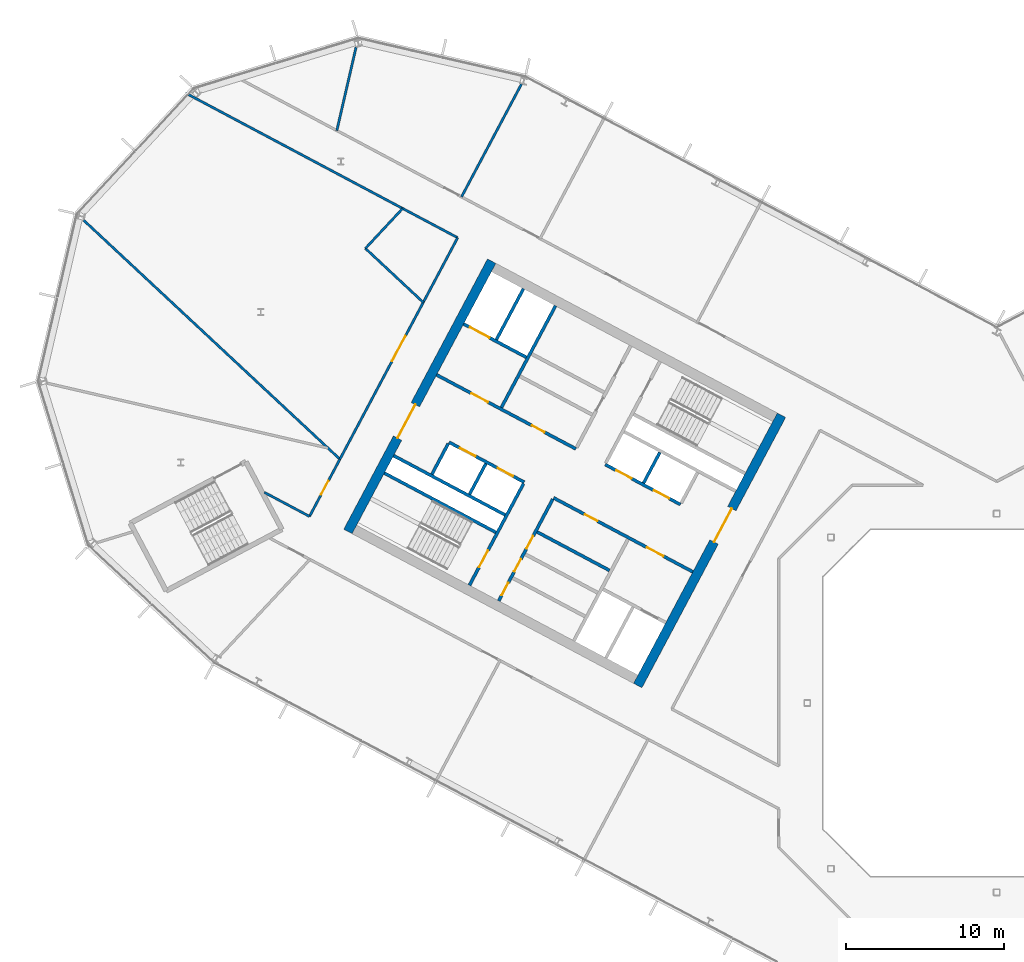
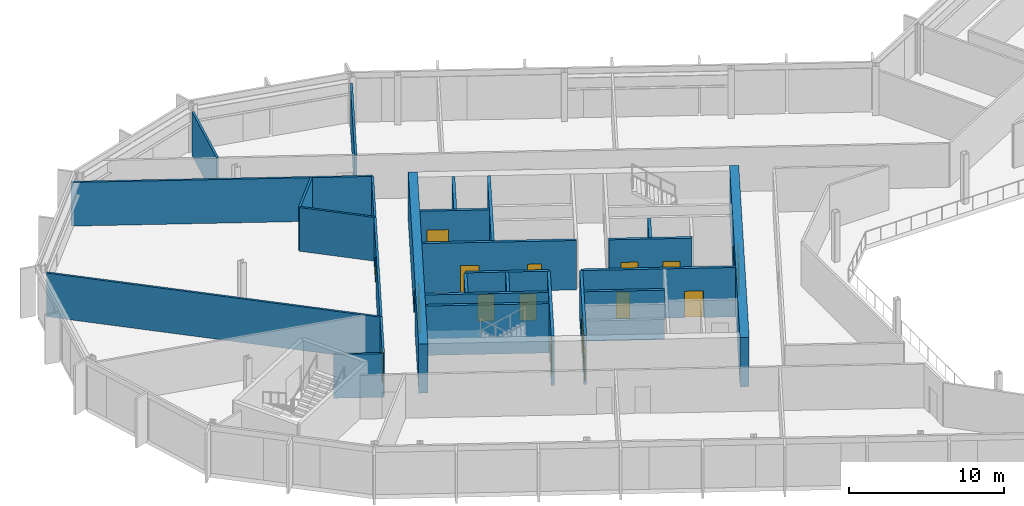
# One storey, part 13 of 26: 26 walls, 17 doors, 17 openings.
"""IFC4 building model written with IfcOpenShell, lengths in metres."""

from ifc_helpers import new_model, si_unit, direction, frame, frame_2d, origin, place, context, subcontext, project, spatial, rectangle, extrude, material, layer, layer_set, type_object, element, fill, save


model = new_model("IFC4")

# Units and contexts
model_context = context("Model", 3, precision=1e-05, world=origin(), true_north=direction((0.0, 1.0)))
body_context = subcontext(model_context, "Body", "Model", "MODEL_VIEW")
ifc_project = project(units=[si_unit("LENGTHUNIT", "METRE"), si_unit("AREAUNIT", "SQUARE_METRE"), si_unit("VOLUMEUNIT", "CUBIC_METRE"), si_unit("PLANEANGLEUNIT", "RADIAN"), si_unit("MASSUNIT", "GRAM", prefix="KILO")], contexts=[model_context])

# Site, building, storey
site_placement = place(None, origin())
site = spatial("IfcSite", under=ifc_project, at=site_placement, CompositionType="ELEMENT")
building_placement = place(site_placement, origin())
building = spatial("IfcBuilding", under=site, at=building_placement, Name="Cormorant Relay Tower", CompositionType="ELEMENT")
storey_placement = place(building_placement, frame((0.0, 0.0, 248.10009765625)))
storey = spatial("IfcBuildingStorey", under=building, at=storey_placement, Name="L55", CompositionType="ELEMENT", Elevation=248.10009765625)

# Walls
ifc_material_1 = material(Name="Concrete 40 MPa", Category="concrete")
ifc_layer_1 = layer(ifc_material_1, 0.199951171875)
ifc_layer_set_1 = layer_set([ifc_layer_1], Name="Core internal wall 200")
wall_type_1 = type_object("IfcWallType", Name="Core internal wall 200", PredefinedType="SOLIDWALL", material=ifc_layer_set_1)
wall_1_placement = place(storey_placement, frame((-21.34375, 15.87890625, 0.0), z_axis=(0.0, 0.0, 1.0), x_axis=(-0.4694473164, -0.882960484464, 0.0)))
element("IfcWall", 1, at=wall_1_placement, inside=storey, type_object=wall_type_1, Name="L55 core A shaft and room wall", PredefinedType="SOLIDWALL", context=body_context, shape_type="SweptSolid", body=[
    extrude(rectangle(XDim=2.199951171875, YDim=0.199951171875, at=frame_2d((1.10009765625, 0.0))), origin(), (0.0, 0.0, 1.0), 3.89990234375),
])
wall_2_placement = place(storey_placement, frame((-32.3662109375, 15.1708984375, 0.0), z_axis=(0.0, 0.0, 1.0), x_axis=(-0.469487830541, -0.882938942948, 0.0)))
element("IfcWall", 2, at=wall_2_placement, inside=storey, type_object=wall_type_1, Name="L55 core A shaft and room wall", PredefinedType="SOLIDWALL", context=body_context, shape_type="SweptSolid", body=[
    extrude(rectangle(XDim=2.2001953125, YDim=0.199951171875, at=frame_2d((1.10009765625, 0.0))), origin(), (0.0, 0.0, 1.0), 3.89990234375),
])

# Wall, openings, doors
ifc_material_2 = material(Name="Concrete 50 MPa", Category="concrete")
ifc_layer_2 = layer(ifc_material_2, 0.199951171875)
ifc_layer_set_2 = layer_set([ifc_layer_2], Name="Core shaft wall 200")
wall_type_2 = type_object("IfcWallType", Name="Core shaft wall 200", PredefinedType="SHEAR", material=ifc_layer_set_2)
wall_3_placement = place(storey_placement, frame((-28.128173828125, 12.91748046875, 0.0), z_axis=(0.0, 0.0, 1.0), x_axis=(-0.469454336211, -0.882956752176, 0.0)))
wall_3 = element("IfcWall", 3, at=wall_3_placement, inside=storey, type_object=wall_type_2, Name="L55 core A shaft wall", PredefinedType="SHEAR", context=body_context, shape_type="SweptSolid", body=[
    extrude(rectangle(XDim=7.300048828125, YDim=0.199951171875, at=frame_2d((3.64990234375, 0.0))), origin(), (0.0, 0.0, 1.0), 3.89990234375),
])
opening_1_placement = place(wall_3_placement, frame((2.64990234375, 0.0, 0.0)))
opening_1 = element("IfcOpeningElement", 4, at=opening_1_placement, cuts=wall_3, Name="Opening CDD-268", PredefinedType="OPENING", context=body_context, shape_type="SweptSolid", body=[
    extrude(rectangle(XDim=0.89990234375, YDim=2.10009765625, at=frame_2d((0.449951171875, 1.050048828125))), frame((0.0, 0.10986328125, 0.0), z_axis=(0.0, -1.0, 0.0), x_axis=(1.0, 0.0, 0.0)), (0.0, 0.0, 1.0), 0.219970703125),
])
opening_2_placement = place(wall_3_placement, frame((4.300048828125, 0.0, 0.0)))
opening_2 = element("IfcOpeningElement", 5, at=opening_2_placement, cuts=wall_3, Name="Opening CDD-269", PredefinedType="OPENING", context=body_context, shape_type="SweptSolid", body=[
    extrude(rectangle(XDim=0.89990234375, YDim=2.10009765625, at=frame_2d((0.449951171875, 1.050048828125))), frame((0.0, 0.10986328125, 0.0), z_axis=(0.0, -1.0, 0.0), x_axis=(1.0, 0.0, 0.0)), (0.0, 0.0, 1.0), 0.219970703125),
])
opening_3_placement = place(wall_3_placement, frame((6.0, 0.0, 0.0)))
opening_3 = element("IfcOpeningElement", 6, at=opening_3_placement, cuts=wall_3, Name="Opening CDD-270", PredefinedType="OPENING", context=body_context, shape_type="SweptSolid", body=[
    extrude(rectangle(XDim=0.89990234375, YDim=2.10009765625, at=frame_2d((0.449951171875, 1.050048828125))), frame((0.0, 0.10986328125, 0.0), z_axis=(0.0, -1.0, 0.0), x_axis=(1.0, 0.0, 0.0)), (0.0, 0.0, 1.0), 0.219970703125),
])
ifc_material_3 = material(Name="Steel fire door", Category="steel")
door_type_1 = type_object("IfcDoorType", Name="Core room door 900x2100", OperationType="SINGLE_SWING_LEFT", PredefinedType="DOOR", material=ifc_material_3)
door_1_placement = place(opening_1_placement, origin())
door_1 = element("IfcDoor", 7, at=door_1_placement, inside=storey, type_object=door_type_1, Name="Core room door 900x2100", OperationType="SINGLE_SWING_LEFT", OverallHeight=2.10009765625, OverallWidth=0.89990234375, PredefinedType="DOOR", context=body_context, shape_type="SweptSolid", body=[
    extrude(rectangle(XDim=0.89990234375, YDim=2.10009765625, at=frame_2d((0.449951171875, 1.050048828125))), frame((0.0, 0.02490234375, 0.0), z_axis=(0.0, -1.0, 0.0), x_axis=(1.0, 0.0, 0.0)), (0.0, 0.0, 1.0), 0.050048828125),
])
fill(opening_1, door_1)
door_2_placement = place(opening_2_placement, origin())
door_2 = element("IfcDoor", 8, at=door_2_placement, inside=storey, type_object=door_type_1, Name="Core room door 900x2100", OperationType="SINGLE_SWING_LEFT", OverallHeight=2.10009765625, OverallWidth=0.89990234375, PredefinedType="DOOR", context=body_context, shape_type="SweptSolid", body=[
    extrude(rectangle(XDim=0.89990234375, YDim=2.10009765625, at=frame_2d((0.449951171875, 1.050048828125))), frame((0.0, 0.02490234375, 0.0), z_axis=(0.0, -1.0, 0.0), x_axis=(1.0, 0.0, 0.0)), (0.0, 0.0, 1.0), 0.050048828125),
])
fill(opening_2, door_2)
door_3_placement = place(opening_3_placement, origin())
door_3 = element("IfcDoor", 9, at=door_3_placement, inside=storey, type_object=door_type_1, Name="Core room door 900x2100", OperationType="SINGLE_SWING_LEFT", OverallHeight=2.10009765625, OverallWidth=0.89990234375, PredefinedType="DOOR", context=body_context, shape_type="SweptSolid", body=[
    extrude(rectangle(XDim=0.89990234375, YDim=2.10009765625, at=frame_2d((0.449951171875, 1.050048828125))), frame((0.0, 0.02490234375, 0.0), z_axis=(0.0, -1.0, 0.0), x_axis=(1.0, 0.0, 0.0)), (0.0, 0.0, 1.0), 0.050048828125),
])
fill(opening_3, door_3)

# Wall, opening, door
wall_4_placement = place(storey_placement, frame((-29.982421875, 13.9033203125, 0.0), z_axis=(0.0, 0.0, 1.0), x_axis=(-0.469454336211, -0.882956752176, 0.0)))
wall_4 = element("IfcWall", 10, at=wall_4_placement, inside=storey, type_object=wall_type_2, Name="L55 core A shaft wall", PredefinedType="SHEAR", context=body_context, shape_type="SweptSolid", body=[
    extrude(rectangle(XDim=7.300048828125, YDim=0.199951171875, at=frame_2d((3.64990234375, 0.0))), origin(), (0.0, 0.0, 1.0), 3.89990234375),
])
opening_4_placement = place(wall_4_placement, frame((4.800048828125, 0.0, 0.0)))
opening_4 = element("IfcOpeningElement", 11, at=opening_4_placement, cuts=wall_4, Name="Opening CDB-039", PredefinedType="OPENING", context=body_context, shape_type="SweptSolid", body=[
    extrude(rectangle(XDim=1.199951171875, YDim=2.10009765625, at=frame_2d((0.60009765625, 1.050048828125))), frame((0.0, 0.10986328125, 0.0), z_axis=(0.0, -1.0, 0.0), x_axis=(1.0, 0.0, 0.0)), (0.0, 0.0, 1.0), 0.219970703125),
])
ifc_material_4 = material(Name="Steel fire door", Category="steel")
door_type_2 = type_object("IfcDoorType", Name="Core stair door 1200x2100", OperationType="SINGLE_SWING_LEFT", PredefinedType="DOOR", material=ifc_material_4)
door_4_placement = place(opening_4_placement, frame((1.199951171875, 0.0, 0.0), z_axis=(0.0, 0.0, 1.0), x_axis=(-1.0, 0.0, 0.0)))
door_4 = element("IfcDoor", 12, at=door_4_placement, inside=storey, type_object=door_type_2, Name="Core stair door 1200x2100", OperationType="SINGLE_SWING_RIGHT", OverallHeight=2.10009765625, OverallWidth=1.199951171875, PredefinedType="DOOR", context=body_context, shape_type="SweptSolid", body=[
    extrude(rectangle(XDim=1.199951171875, YDim=2.10009765625, at=frame_2d((0.60009765625, 1.050048828125))), frame((0.0, 0.02490234375, 0.0), z_axis=(0.0, -1.0, 0.0), x_axis=(1.0, 0.0, 0.0)), (0.0, 0.0, 1.0), 0.050048828125),
])
fill(opening_4, door_4)

# Walls
wall_5_placement = place(storey_placement, frame((-27.955322265625, 25.170654296875, 0.0), z_axis=(0.0, 0.0, 1.0), x_axis=(-0.469480409012, -0.88294288918, 0.0)))
element("IfcWall", 13, at=wall_5_placement, inside=storey, type_object=wall_type_2, Name="L55 core A shaft wall", PredefinedType="SHEAR", context=body_context, shape_type="SweptSolid", body=[
    extrude(rectangle(XDim=7.300048828125, YDim=0.199951171875, at=frame_2d((3.64990234375, 0.0))), origin(), (0.0, 0.0, 1.0), 3.89990234375),
])
wall_6_placement = place(storey_placement, frame((-34.750244140625, 16.4384765625, 0.0), z_axis=(0.0, 0.0, 1.0), x_axis=(-0.469401318492, -0.882984938828, 0.0)))
element("IfcWall", 14, at=wall_6_placement, inside=storey, type_object=wall_type_2, Name="L55 core A shaft wall", PredefinedType="SHEAR", context=body_context, shape_type="SweptSolid", body=[
    extrude(rectangle(XDim=2.199951171875, YDim=0.199951171875, at=frame_2d((1.10009765625, 0.0))), origin(), (0.0, 0.0, 1.0), 3.89990234375),
])
wall_7_placement = place(storey_placement, frame((-29.986083984375, 26.250244140625, 0.0), z_axis=(0.0, 0.0, 1.0), x_axis=(-0.469494272526, -0.882935517501, 0.0)))
element("IfcWall", 15, at=wall_7_placement, inside=storey, type_object=wall_type_2, Name="L55 core A shaft wall", PredefinedType="SHEAR", context=body_context, shape_type="SweptSolid", body=[
    extrude(rectangle(XDim=3.64990234375, YDim=0.199951171875, at=frame_2d((1.824951171875, 0.0))), origin(), (0.0, 0.0, 1.0), 3.89990234375),
])

# Wall, opening, door
wall_8_placement = place(storey_placement, frame((-29.80419921875, 21.906494140625, 0.0), z_axis=(0.0, 0.0, 1.0), x_axis=(-0.882960433586, 0.469447412093, 0.0)))
wall_8 = element("IfcWall", 16, at=wall_8_placement, inside=storey, type_object=wall_type_2, Name="L55 core A shaft wall", PredefinedType="SHEAR", context=body_context, shape_type="SweptSolid", body=[
    extrude(rectangle(XDim=4.5, YDim=0.199951171875, at=frame_2d((2.25, 0.0))), origin(), (0.0, 0.0, 1.0), 3.89990234375),
])
opening_5_placement = place(wall_8_placement, frame((2.64990234375, 0.0, 0.0)))
opening_5 = element("IfcOpeningElement", 17, at=opening_5_placement, cuts=wall_8, Name="Opening LD3-015", PredefinedType="OPENING", context=body_context, shape_type="SweptSolid", body=[
    extrude(rectangle(XDim=1.39990234375, YDim=2.39990234375, at=frame_2d((0.699951171875, 1.199951171875))), frame((0.0, 0.10986328125, 0.0), z_axis=(0.0, -1.0, 0.0), x_axis=(1.0, 0.0, 0.0)), (0.0, 0.0, 1.0), 0.219970703125),
])
ifc_material_5 = material(Name="Stainless steel 316", Category="steel")
door_type_3 = type_object("IfcDoorType", Name="Lift landing door 1400x2400", OperationType="DOUBLE_DOOR_SLIDING", PredefinedType="DOOR", material=ifc_material_5)
door_5_placement = place(opening_5_placement, origin())
door_5 = element("IfcDoor", 18, at=door_5_placement, inside=storey, type_object=door_type_3, Name="SV1 landing door", OperationType="DOUBLE_DOOR_SLIDING", OverallHeight=2.39990234375, OverallWidth=1.39990234375, PredefinedType="DOOR", context=body_context, shape_type="SweptSolid", body=[
    extrude(rectangle(XDim=1.39990234375, YDim=2.39990234375, at=frame_2d((0.699951171875, 1.199951171875))), frame((0.0, 0.02490234375, 0.0), z_axis=(0.0, -1.0, 0.0), x_axis=(1.0, 0.0, 0.0)), (0.0, 0.0, 1.0), 0.050048828125),
])
fill(opening_5, door_5)

# Wall, openings, doors
wall_9_placement = place(storey_placement, frame((-20.03955078125, 12.58056640625, 0.0), z_axis=(0.0, 0.0, 1.0), x_axis=(-0.882942972946, 0.469480251476, 0.0)))
wall_9 = element("IfcWall", 19, at=wall_9_placement, inside=storey, type_object=wall_type_2, Name="L55 core A shaft wall", PredefinedType="SHEAR", context=body_context, shape_type="SweptSolid", body=[
    extrude(rectangle(XDim=5.39990234375, YDim=0.199951171875, at=frame_2d((2.699951171875, 0.0))), origin(), (0.0, 0.0, 1.0), 3.89990234375),
])
opening_6_placement = place(wall_9_placement, frame((0.800048828125, 0.0, 0.0)))
opening_6 = element("IfcOpeningElement", 20, at=opening_6_placement, cuts=wall_9, Name="Opening LD1-061", PredefinedType="OPENING", context=body_context, shape_type="SweptSolid", body=[
    extrude(rectangle(XDim=1.10009765625, YDim=2.10009765625, at=frame_2d((0.550048828125, 1.050048828125))), frame((0.0, 0.10986328125, 0.0), z_axis=(0.0, -1.0, 0.0), x_axis=(1.0, 0.0, 0.0)), (0.0, 0.0, 1.0), 0.219970703125),
])
opening_7_placement = place(wall_9_placement, frame((3.5, 0.0, 0.0)))
opening_7 = element("IfcOpeningElement", 21, at=opening_7_placement, cuts=wall_9, Name="Opening LD1-062", PredefinedType="OPENING", context=body_context, shape_type="SweptSolid", body=[
    extrude(rectangle(XDim=1.10009765625, YDim=2.10009765625, at=frame_2d((0.550048828125, 1.050048828125))), frame((0.0, 0.10986328125, 0.0), z_axis=(0.0, -1.0, 0.0), x_axis=(1.0, 0.0, 0.0)), (0.0, 0.0, 1.0), 0.219970703125),
])
ifc_material_6 = material(Name="Stainless steel 316", Category="steel")
door_type_4 = type_object("IfcDoorType", Name="Lift landing door 1100x2100", OperationType="DOUBLE_DOOR_SLIDING", PredefinedType="DOOR", material=ifc_material_6)
door_6_placement = place(opening_6_placement, origin())
door_6 = element("IfcDoor", 22, at=door_6_placement, inside=storey, type_object=door_type_4, Name="MR3 landing door", OperationType="DOUBLE_DOOR_SLIDING", OverallHeight=2.10009765625, OverallWidth=1.10009765625, PredefinedType="DOOR", context=body_context, shape_type="SweptSolid", body=[
    extrude(rectangle(XDim=1.10009765625, YDim=2.10009765625, at=frame_2d((0.550048828125, 1.050048828125))), frame((0.0, 0.02490234375, 0.0), z_axis=(0.0, -1.0, 0.0), x_axis=(1.0, 0.0, 0.0)), (0.0, 0.0, 1.0), 0.050048828125),
])
fill(opening_6, door_6)
door_7_placement = place(opening_7_placement, origin())
door_7 = element("IfcDoor", 23, at=door_7_placement, inside=storey, type_object=door_type_4, Name="MR4 landing door", OperationType="DOUBLE_DOOR_SLIDING", OverallHeight=2.10009765625, OverallWidth=1.10009765625, PredefinedType="DOOR", context=body_context, shape_type="SweptSolid", body=[
    extrude(rectangle(XDim=1.10009765625, YDim=2.10009765625, at=frame_2d((0.550048828125, 1.050048828125))), frame((0.0, 0.02490234375, 0.0), z_axis=(0.0, -1.0, 0.0), x_axis=(1.0, 0.0, 0.0)), (0.0, 0.0, 1.0), 0.050048828125),
])
fill(opening_7, door_7)

wall_10_placement = place(storey_placement, frame((-26.66162109375, 16.1015625, 0.0), z_axis=(0.0, 0.0, 1.0), x_axis=(-0.882940221191, 0.469485426614, 0.0)))
wall_10 = element("IfcWall", 24, at=wall_10_placement, inside=storey, type_object=wall_type_2, Name="L55 core A shaft wall", PredefinedType="SHEAR", context=body_context, shape_type="SweptSolid", body=[
    extrude(rectangle(XDim=10.0, YDim=0.199951171875, at=frame_2d((5.0, 0.0))), origin(), (0.0, 0.0, 1.0), 3.89990234375),
])
opening_8_placement = place(wall_10_placement, frame((6.300048828125, 0.0, 0.0)))
opening_8 = element("IfcOpeningElement", 25, at=opening_8_placement, cuts=wall_10, Name="Opening CDC-034", PredefinedType="OPENING", context=body_context, shape_type="SweptSolid", body=[
    extrude(rectangle(XDim=1.199951171875, YDim=2.10009765625, at=frame_2d((0.60009765625, 1.050048828125))), frame((0.0, 0.10986328125, 0.0), z_axis=(0.0, -1.0, 0.0), x_axis=(1.0, 0.0, 0.0)), (0.0, 0.0, 1.0), 0.219970703125),
])
opening_9_placement = place(wall_10_placement, frame((2.25, 0.0, 0.0)))
opening_9 = element("IfcOpeningElement", 26, at=opening_9_placement, cuts=wall_10, Name="Opening CDD-255", PredefinedType="OPENING", context=body_context, shape_type="SweptSolid", body=[
    extrude(rectangle(XDim=0.89990234375, YDim=2.10009765625, at=frame_2d((0.449951171875, 1.050048828125))), frame((0.0, 0.10986328125, 0.0), z_axis=(0.0, -1.0, 0.0), x_axis=(1.0, 0.0, 0.0)), (0.0, 0.0, 1.0), 0.219970703125),
])
ifc_material_7 = material(Name="Steel fire door", Category="steel")
door_type_5 = type_object("IfcDoorType", Name="Core lobby door 1200x2100", OperationType="SINGLE_SWING_LEFT", PredefinedType="DOOR", material=ifc_material_7)
door_8_placement = place(opening_8_placement, origin())
door_8 = element("IfcDoor", 27, at=door_8_placement, inside=storey, type_object=door_type_5, Name="Core lobby door 1200x2100", OperationType="SINGLE_SWING_LEFT", OverallHeight=2.10009765625, OverallWidth=1.199951171875, PredefinedType="DOOR", context=body_context, shape_type="SweptSolid", body=[
    extrude(rectangle(XDim=1.199951171875, YDim=2.10009765625, at=frame_2d((0.60009765625, 1.050048828125))), frame((0.0, 0.02490234375, 0.0), z_axis=(0.0, -1.0, 0.0), x_axis=(1.0, 0.0, 0.0)), (0.0, 0.0, 1.0), 0.050048828125),
])
fill(opening_8, door_8)
door_9_placement = place(opening_9_placement, origin())
door_9 = element("IfcDoor", 28, at=door_9_placement, inside=storey, type_object=door_type_1, Name="Core room door 900x2100", OperationType="SINGLE_SWING_LEFT", OverallHeight=2.10009765625, OverallWidth=0.89990234375, PredefinedType="DOOR", context=body_context, shape_type="SweptSolid", body=[
    extrude(rectangle(XDim=0.89990234375, YDim=2.10009765625, at=frame_2d((0.449951171875, 1.050048828125))), frame((0.0, 0.02490234375, 0.0), z_axis=(0.0, -1.0, 0.0), x_axis=(1.0, 0.0, 0.0)), (0.0, 0.0, 1.0), 0.050048828125),
])
fill(opening_9, door_9)

wall_11_placement = place(storey_placement, frame((-19.251708984375, 8.31103515625, 0.0), z_axis=(0.0, 0.0, 1.0), x_axis=(-0.882955722218, 0.469456273365, 0.0)))
wall_11 = element("IfcWall", 29, at=wall_11_placement, inside=storey, type_object=wall_type_2, Name="L55 core A shaft wall", PredefinedType="SHEAR", context=body_context, shape_type="SweptSolid", body=[
    extrude(rectangle(XDim=10.0, YDim=0.199951171875, at=frame_2d((5.0, 0.0))), origin(), (0.0, 0.0, 1.0), 3.89990234375),
])
opening_10_placement = place(wall_11_placement, frame((2.10009765625, 0.0, 0.0)))
opening_10 = element("IfcOpeningElement", 30, at=opening_10_placement, cuts=wall_11, Name="Opening CDC-033", PredefinedType="OPENING", context=body_context, shape_type="SweptSolid", body=[
    extrude(rectangle(XDim=1.199951171875, YDim=2.10009765625, at=frame_2d((0.60009765625, 1.050048828125))), frame((0.0, 0.10986328125, 0.0), z_axis=(0.0, -1.0, 0.0), x_axis=(1.0, 0.0, 0.0)), (0.0, 0.0, 1.0), 0.219970703125),
])
opening_11_placement = place(wall_11_placement, frame((6.85009765625, 0.0, 0.0)))
opening_11 = element("IfcOpeningElement", 31, at=opening_11_placement, cuts=wall_11, Name="Opening CDD-254", PredefinedType="OPENING", context=body_context, shape_type="SweptSolid", body=[
    extrude(rectangle(XDim=0.89990234375, YDim=2.10009765625, at=frame_2d((0.449951171875, 1.050048828125))), frame((0.0, 0.10986328125, 0.0), z_axis=(0.0, -1.0, 0.0), x_axis=(1.0, 0.0, 0.0)), (0.0, 0.0, 1.0), 0.219970703125),
])
door_10_placement = place(opening_10_placement, origin())
door_10 = element("IfcDoor", 32, at=door_10_placement, inside=storey, type_object=door_type_5, Name="Core lobby door 1200x2100", OperationType="SINGLE_SWING_RIGHT", OverallHeight=2.10009765625, OverallWidth=1.199951171875, PredefinedType="DOOR", context=body_context, shape_type="SweptSolid", body=[
    extrude(rectangle(XDim=1.199951171875, YDim=2.10009765625, at=frame_2d((0.60009765625, 1.050048828125))), frame((0.0, 0.02490234375, 0.0), z_axis=(0.0, -1.0, 0.0), x_axis=(1.0, 0.0, 0.0)), (0.0, 0.0, 1.0), 0.050048828125),
])
fill(opening_10, door_10)
door_11_placement = place(opening_11_placement, origin())
door_11 = element("IfcDoor", 33, at=door_11_placement, inside=storey, type_object=door_type_1, Name="Core room door 900x2100", OperationType="SINGLE_SWING_LEFT", OverallHeight=2.10009765625, OverallWidth=0.89990234375, PredefinedType="DOOR", context=body_context, shape_type="SweptSolid", body=[
    extrude(rectangle(XDim=0.89990234375, YDim=2.10009765625, at=frame_2d((0.449951171875, 1.050048828125))), frame((0.0, 0.02490234375, 0.0), z_axis=(0.0, -1.0, 0.0), x_axis=(1.0, 0.0, 0.0)), (0.0, 0.0, 1.0), 0.050048828125),
])
fill(opening_11, door_11)

wall_12_placement = place(storey_placement, frame((-29.935302734375, 13.991455078125, 0.0), z_axis=(0.0, 0.0, 1.0), x_axis=(-0.882952937579, 0.469461510692, 0.0)))
wall_12 = element("IfcWall", 34, at=wall_12_placement, inside=storey, type_object=wall_type_2, Name="L55 core A shaft wall", PredefinedType="SHEAR", context=body_context, shape_type="SweptSolid", body=[
    extrude(rectangle(XDim=5.400146484375, YDim=0.199951171875, at=frame_2d((2.7001953125, 0.0))), origin(), (0.0, 0.0, 1.0), 3.89990234375),
])
opening_12_placement = place(wall_12_placement, frame((0.800048828125, 0.0, 0.0)))
opening_12 = element("IfcOpeningElement", 35, at=opening_12_placement, cuts=wall_12, Name="Opening LD1-059", PredefinedType="OPENING", context=body_context, shape_type="SweptSolid", body=[
    extrude(rectangle(XDim=1.10009765625, YDim=2.10009765625, at=frame_2d((0.550048828125, 1.050048828125))), frame((0.0, 0.10986328125, 0.0), z_axis=(0.0, -1.0, 0.0), x_axis=(1.0, 0.0, 0.0)), (0.0, 0.0, 1.0), 0.219970703125),
])
opening_13_placement = place(wall_12_placement, frame((3.5, 0.0, 0.0)))
opening_13 = element("IfcOpeningElement", 36, at=opening_13_placement, cuts=wall_12, Name="Opening LD1-060", PredefinedType="OPENING", context=body_context, shape_type="SweptSolid", body=[
    extrude(rectangle(XDim=1.10009765625, YDim=2.10009765625, at=frame_2d((0.550048828125, 1.050048828125))), frame((0.0, 0.10986328125, 0.0), z_axis=(0.0, -1.0, 0.0), x_axis=(1.0, 0.0, 0.0)), (0.0, 0.0, 1.0), 0.219970703125),
])
door_12_placement = place(opening_12_placement, origin())
door_12 = element("IfcDoor", 37, at=door_12_placement, inside=storey, type_object=door_type_4, Name="MR1 landing door", OperationType="DOUBLE_DOOR_SLIDING", OverallHeight=2.10009765625, OverallWidth=1.10009765625, PredefinedType="DOOR", context=body_context, shape_type="SweptSolid", body=[
    extrude(rectangle(XDim=1.10009765625, YDim=2.10009765625, at=frame_2d((0.550048828125, 1.050048828125))), frame((0.0, 0.02490234375, 0.0), z_axis=(0.0, -1.0, 0.0), x_axis=(1.0, 0.0, 0.0)), (0.0, 0.0, 1.0), 0.050048828125),
])
fill(opening_12, door_12)
door_13_placement = place(opening_13_placement, origin())
door_13 = element("IfcDoor", 38, at=door_13_placement, inside=storey, type_object=door_type_4, Name="MR2 landing door", OperationType="DOUBLE_DOOR_SLIDING", OverallHeight=2.10009765625, OverallWidth=1.10009765625, PredefinedType="DOOR", context=body_context, shape_type="SweptSolid", body=[
    extrude(rectangle(XDim=1.10009765625, YDim=2.10009765625, at=frame_2d((0.550048828125, 1.050048828125))), frame((0.0, 0.02490234375, 0.0), z_axis=(0.0, -1.0, 0.0), x_axis=(1.0, 0.0, 0.0)), (0.0, 0.0, 1.0), 0.050048828125),
])
fill(opening_13, door_13)

# Walls
wall_13_placement = place(storey_placement, frame((-24.5283203125, 8.3984375, 0.0), z_axis=(0.0, 0.0, 1.0), x_axis=(-0.882953967957, 0.469459572775, 0.0)))
element("IfcWall", 39, at=wall_13_placement, inside=storey, type_object=wall_type_2, Name="L55 core A shaft wall", PredefinedType="SHEAR", context=body_context, shape_type="SweptSolid", body=[
    extrude(rectangle(XDim=5.199951171875, YDim=0.199951171875, at=frame_2d((2.60009765625, 0.0))), origin(), (0.0, 0.0, 1.0), 3.89990234375),
])
for number, where, z_axis, x_axis, name in (
    (40, (-31.150390625, 11.91943359375, 0.0), (0.0, 0.0, 1.0), (-0.882940221191, 0.469485426614, 0.0), "L55 core A shaft wall"),
    (41, (-31.7373046875, 10.815673828125, 0.0), (0.0, 0.0, 1.0), (-0.882940221191, 0.469485426614, 0.0), "L55 core A shaft wall"),
):
    element("IfcWall", number, at=place(storey_placement, frame(where, z_axis=z_axis, x_axis=x_axis)), inside=storey, type_object=wall_type_2, Name=name, PredefinedType="SHEAR", context=body_context, shape_type="SweptSolid", body=[
        extrude(rectangle(XDim=8.0, YDim=0.199951171875, at=frame_2d((4.0, 0.0))), origin(), (0.0, 0.0, 1.0), 3.89990234375),
    ])

# Wall, opening, door
ifc_material_8 = material(Name="Concrete 50 MPa", Category="concrete")
ifc_layer_3 = layer(ifc_material_8, 0.60009765625)
ifc_layer_set_3 = layer_set([ifc_layer_3], Name="Core wall 600")
wall_type_3 = type_object("IfcWallType", Name="Core wall 600", PredefinedType="SHEAR", material=ifc_layer_set_3)
wall_14_placement = place(storey_placement, frame((-13.634765625, 18.235595703125, 0.0), z_axis=(0.0, 0.0, 1.0), x_axis=(-0.469478769487, -0.88294376095, 0.0)))
wall_14 = element("IfcWall", 42, at=wall_14_placement, inside=storey, type_object=wall_type_3, Name="L55 core A wall", PredefinedType="SHEAR", context=body_context, shape_type="SweptSolid", body=[
    extrude(rectangle(XDim=19.400146484375, YDim=0.60009765625, at=frame_2d((9.7001953125, 0.0))), origin(), (0.0, 0.0, 1.0), 3.89990234375),
])
opening_14_placement = place(wall_14_placement, frame((6.699951171875, 0.0, 0.0)))
opening_14 = element("IfcOpeningElement", 43, at=opening_14_placement, cuts=wall_14, Name="Opening CDA-045", PredefinedType="OPENING", context=body_context, shape_type="SweptSolid", body=[
    extrude(rectangle(XDim=2.39990234375, YDim=2.39990234375, at=frame_2d((1.199951171875, 1.199951171875))), frame((0.0, 0.31005859375, 0.0), z_axis=(0.0, -1.0, 0.0), x_axis=(1.0, 0.0, 0.0)), (0.0, 0.0, 1.0), 0.6201171875),
])
ifc_material_9 = material(Name="Steel fire door", Category="steel")
door_type_6 = type_object("IfcDoorType", Name="Core lobby door 2400x2400", OperationType="DOUBLE_DOOR_SINGLE_SWING", PredefinedType="DOOR", material=ifc_material_9)
door_14_placement = place(opening_14_placement, origin())
door_14 = element("IfcDoor", 44, at=door_14_placement, inside=storey, type_object=door_type_6, Name="Core lobby door 2400x2400", OperationType="DOUBLE_DOOR_SINGLE_SWING", OverallHeight=2.39990234375, OverallWidth=2.39990234375, PredefinedType="DOOR", context=body_context, shape_type="SweptSolid", body=[
    extrude(rectangle(XDim=2.39990234375, YDim=2.39990234375, at=frame_2d((1.199951171875, 1.199951171875))), frame((0.0, 0.02490234375, 0.0), z_axis=(0.0, -1.0, 0.0), x_axis=(1.0, 0.0, 0.0)), (0.0, 0.0, 1.0), 0.050048828125),
])
fill(opening_14, door_14)

wall_15_placement = place(storey_placement, frame((-32.000244140625, 28.000732421875, 0.0), z_axis=(0.0, 0.0, 1.0), x_axis=(-0.469468958625, -0.882948977511, 0.0)))
wall_15 = element("IfcWall", 45, at=wall_15_placement, inside=storey, type_object=wall_type_3, Name="L55 core A wall", PredefinedType="SHEAR", context=body_context, shape_type="SweptSolid", body=[
    extrude(rectangle(XDim=19.39990234375, YDim=0.60009765625, at=frame_2d((9.699951171875, 0.0))), origin(), (0.0, 0.0, 1.0), 3.89990234375),
])
opening_15_placement = place(wall_15_placement, frame((10.300048828125, 0.0, 0.0)))
opening_15 = element("IfcOpeningElement", 46, at=opening_15_placement, cuts=wall_15, Name="Opening CDA-041", PredefinedType="OPENING", context=body_context, shape_type="SweptSolid", body=[
    extrude(rectangle(XDim=2.39990234375, YDim=2.39990234375, at=frame_2d((1.199951171875, 1.199951171875))), frame((0.0, 0.31005859375, 0.0), z_axis=(0.0, -1.0, 0.0), x_axis=(1.0, 0.0, 0.0)), (0.0, 0.0, 1.0), 0.6201171875),
])
door_15_placement = place(opening_15_placement, origin())
door_15 = element("IfcDoor", 47, at=door_15_placement, inside=storey, type_object=door_type_6, Name="Core lobby door 2400x2400", OperationType="DOUBLE_DOOR_SINGLE_SWING", OverallHeight=2.39990234375, OverallWidth=2.39990234375, PredefinedType="DOOR", context=body_context, shape_type="SweptSolid", body=[
    extrude(rectangle(XDim=2.39990234375, YDim=2.39990234375, at=frame_2d((1.199951171875, 1.199951171875))), frame((0.0, 0.02490234375, 0.0), z_axis=(0.0, -1.0, 0.0), x_axis=(1.0, 0.0, 0.0)), (0.0, 0.0, 1.0), 0.050048828125),
])
fill(opening_15, door_15)

ifc_material_10 = material(Name="Gypsum board fire partition")
ifc_layer_4 = layer(ifc_material_10, 0.14990234375)
ifc_layer_set_4 = layer_set([ifc_layer_4], Name="Corridor partition 150 EI 60")
wall_type_4 = type_object("IfcWallType", Name="Corridor partition 150 EI 60", PredefinedType="PARTITIONING", material=ifc_layer_set_4)
wall_16_placement = place(storey_placement, frame((-41.617919921875, 15.449951171875, 0.0), z_axis=(0.0, 0.0, 1.0), x_axis=(0.46945912711, 0.882954204913, 0.0)))
wall_16 = element("IfcWall", 48, at=wall_16_placement, inside=storey, type_object=wall_type_4, Name="wall/L55/part/006", PredefinedType="PARTITIONING", context=body_context, shape_type="SweptSolid", body=[
    extrude(rectangle(XDim=15.896728515625, YDim=0.14990234375, at=frame_2d((7.9482421875, 0.0))), origin(), (0.0, 0.0, 1.0), 3.449951171875),
])
opening_16_placement = place(wall_16_placement, frame((7.050048828125, 0.0, 0.0)))
opening_16 = element("IfcOpeningElement", 49, at=opening_16_placement, cuts=wall_16, Name="Opening DD-031", PredefinedType="OPENING", context=body_context, shape_type="SweptSolid", body=[
    extrude(rectangle(XDim=1.800048828125, YDim=2.10009765625, at=frame_2d((0.89990234375, 1.050048828125))), frame((0.0, 0.0849609375, 0.0), z_axis=(0.0, -1.0, 0.0), x_axis=(1.0, 0.0, 0.0)), (0.0, 0.0, 1.0), 0.169921875),
])
ifc_material_11 = material(Name="Timber door leaf", Category="wood")
door_type_7 = type_object("IfcDoorType", Name="Suite double door 1800x2100", OperationType="DOUBLE_DOOR_SINGLE_SWING", PredefinedType="DOOR", material=ifc_material_11)
door_16_placement = place(opening_16_placement, origin())
door_16 = element("IfcDoor", 50, at=door_16_placement, inside=storey, type_object=door_type_7, Name="door/L55/004", OperationType="DOUBLE_DOOR_SINGLE_SWING", OverallHeight=2.10009765625, OverallWidth=1.800048828125, PredefinedType="DOOR", context=body_context, shape_type="SweptSolid", body=[
    extrude(rectangle(XDim=1.800048828125, YDim=2.10009765625, at=frame_2d((0.89990234375, 1.050048828125))), frame((0.0, 0.02490234375, 0.0), z_axis=(0.0, -1.0, 0.0), x_axis=(1.0, 0.0, 0.0)), (0.0, 0.0, 1.0), 0.050048828125),
])
fill(opening_16, door_16)

# Walls
wall_17_placement = place(storey_placement, frame((-34.155029296875, 29.486083984375, 0.0), z_axis=(0.0, 0.0, 1.0), x_axis=(-0.882941970897, 0.469482136006, 0.0)))
element("IfcWall", 51, at=wall_17_placement, inside=storey, type_object=wall_type_4, Name="wall/L55/part/007", PredefinedType="PARTITIONING", context=body_context, shape_type="SweptSolid", body=[
    extrude(rectangle(XDim=19.52783203125, YDim=0.14990234375, at=frame_2d((9.763916015625, 0.0))), origin(), (0.0, 0.0, 1.0), 3.449951171875),
])
wall_18_placement = place(storey_placement, frame((-46.403076171875, 13.346923828125, 0.0), z_axis=(0.0, 0.0, 1.0), x_axis=(0.882974130461, -0.469421649411, 0.0)))
element("IfcWall", 52, at=wall_18_placement, inside=storey, type_object=wall_type_4, Name="wall/L55/part/012", PredefinedType="PARTITIONING", context=body_context, shape_type="SweptSolid", body=[
    extrude(rectangle(XDim=3.238037109375, YDim=0.14990234375, at=frame_2d((1.619140625, 0.0))), origin(), (0.0, 0.0, 1.0), 3.449951171875),
])

# Wall, opening, door
wall_19_placement = place(storey_placement, frame((-41.617919921875, 15.449951171875, 0.0), z_axis=(0.0, 0.0, 1.0), x_axis=(-0.468819008191, -0.883294253099, 0.0)))
wall_19 = element("IfcWall", 53, at=wall_19_placement, inside=storey, type_object=wall_type_4, Name="wall/L55/part/013", PredefinedType="PARTITIONING", context=body_context, shape_type="SweptSolid", body=[
    extrude(rectangle(XDim=4.106201171875, YDim=0.14990234375, at=frame_2d((2.05322265625, 0.0))), origin(), (0.0, 0.0, 1.0), 3.449951171875),
])
opening_17_placement = place(wall_19_placement, frame((1.550048828125, 0.0, 0.0)))
opening_17 = element("IfcOpeningElement", 54, at=opening_17_placement, cuts=wall_19, Name="Opening DS-176", PredefinedType="OPENING", context=body_context, shape_type="SweptSolid", body=[
    extrude(rectangle(XDim=1.0, YDim=2.10009765625, at=frame_2d((0.5, 1.050048828125))), frame((0.0, 0.0849609375, 0.0), z_axis=(0.0, -1.0, 0.0), x_axis=(1.0, 0.0, 0.0)), (0.0, 0.0, 1.0), 0.169921875),
])
ifc_material_12 = material(Name="Timber door leaf", Category="wood")
door_type_8 = type_object("IfcDoorType", Name="Suite door 1000x2100", OperationType="SINGLE_SWING_LEFT", PredefinedType="DOOR", material=ifc_material_12)
door_17_placement = place(opening_17_placement, frame((1.0, 0.0, 0.0), z_axis=(0.0, 0.0, 1.0), x_axis=(-1.0, 0.0, 0.0)))
door_17 = element("IfcDoor", 55, at=door_17_placement, inside=storey, type_object=door_type_8, Name="door/L55/005", OperationType="SINGLE_SWING_RIGHT", OverallHeight=2.10009765625, OverallWidth=1.0, PredefinedType="DOOR", context=body_context, shape_type="SweptSolid", body=[
    extrude(rectangle(XDim=1.0, YDim=2.10009765625, at=frame_2d((0.5, 1.050048828125))), frame((0.0, 0.02490234375, 0.0), z_axis=(0.0, -1.0, 0.0), x_axis=(1.0, 0.0, 0.0)), (0.0, 0.0, 1.0), 0.050048828125),
])
fill(opening_17, door_17)

# Walls
ifc_material_13 = material(Name="Gypsum board partition")
ifc_layer_5 = layer(ifc_material_13, 0.14990234375)
ifc_layer_set_5 = layer_set([ifc_layer_5], Name="Tenant partition 150")
wall_type_5 = type_object("IfcWallType", Name="Tenant partition 150", PredefinedType="PARTITIONING", material=ifc_layer_set_5)
wall_20_placement = place(storey_placement, frame((-37.639892578125, 31.339111328125, 0.0), z_axis=(0.0, 0.0, 1.0), x_axis=(-0.681983873773, -0.731367210035, 0.0)))
element("IfcWall", 56, at=wall_20_placement, inside=storey, type_object=wall_type_5, Name="wall/L55/part/002", PredefinedType="PARTITIONING", context=body_context, shape_type="SweptSolid", body=[
    extrude(rectangle(XDim=3.460693359375, YDim=0.14990234375, at=frame_2d((1.73046875, 0.0))), origin(), (0.0, 0.0, 1.0), 3.449951171875),
])
wall_21_placement = place(storey_placement, frame((-40.0, 28.80810546875, 0.0), z_axis=(0.0, 0.0, 1.0), x_axis=(0.731199369693, -0.682163823257, 0.0)))
element("IfcWall", 57, at=wall_21_placement, inside=storey, type_object=wall_type_5, Name="wall/L55/part/003", PredefinedType="PARTITIONING", context=body_context, shape_type="SweptSolid", body=[
    extrude(rectangle(XDim=5.013671875, YDim=0.14990234375, at=frame_2d((2.5068359375, 0.0))), origin(), (0.0, 0.0, 1.0), 3.449951171875),
])
wall_22_placement = place(storey_placement, frame((-41.616943359375, 15.451904296875, 0.0), z_axis=(0.0, 0.0, 1.0), x_axis=(-0.731394449571, 0.681954660617, 0.0)))
element("IfcWall", 58, at=wall_22_placement, inside=storey, type_object=wall_type_5, Name="wall/L55/part/004", PredefinedType="PARTITIONING", context=body_context, shape_type="SweptSolid", body=[
    extrude(rectangle(XDim=22.206787109375, YDim=0.14990234375, at=frame_2d((11.103515625, 0.0))), origin(), (0.0, 0.0, 1.0), 3.449951171875),
])
wall_23_placement = place(storey_placement, frame((-30.10888671875, 39.22509765625, 0.0), z_axis=(0.0, 0.0, 1.0), x_axis=(-0.469490973279, -0.882937271843, 0.0)))
element("IfcWall", 59, at=wall_23_placement, inside=storey, type_object=wall_type_5, Name="wall/L55/part/016", PredefinedType="PARTITIONING", context=body_context, shape_type="SweptSolid", body=[
    extrude(rectangle(XDim=8.09814453125, YDim=0.14990234375, at=frame_2d((4.049072265625, 0.0))), origin(), (0.0, 0.0, 1.0), 3.449951171875),
])
wall_24_placement = place(storey_placement, frame((-41.81298828125, 36.27587890625, 0.0), z_axis=(0.0, 0.0, 1.0), x_axis=(0.22495163737, 0.974369930183, 0.0)))
element("IfcWall", 60, at=wall_24_placement, inside=storey, type_object=wall_type_5, Name="wall/L55/part/017", PredefinedType="PARTITIONING", context=body_context, shape_type="SweptSolid", body=[
    extrude(rectangle(XDim=5.4189453125, YDim=0.14990234375, at=frame_2d((2.70947265625, 0.0))), origin(), (0.0, 0.0, 1.0), 3.449951171875),
])

save(model, "model.ifc")
